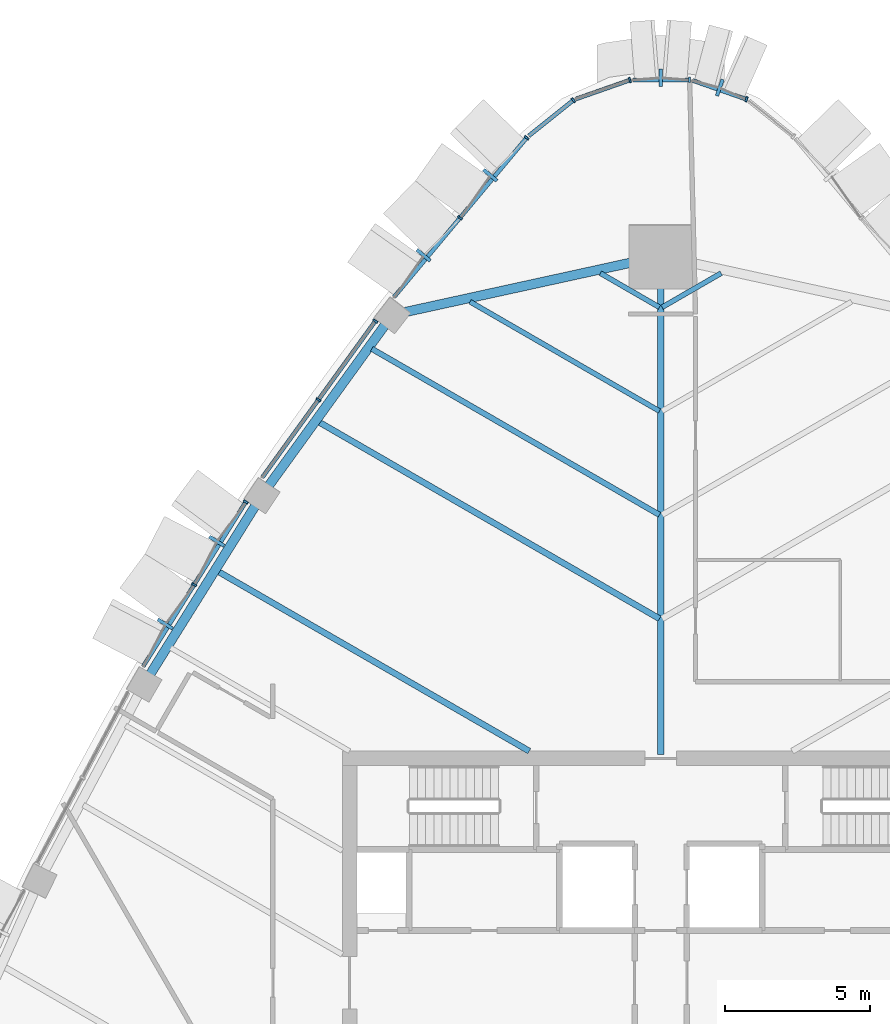
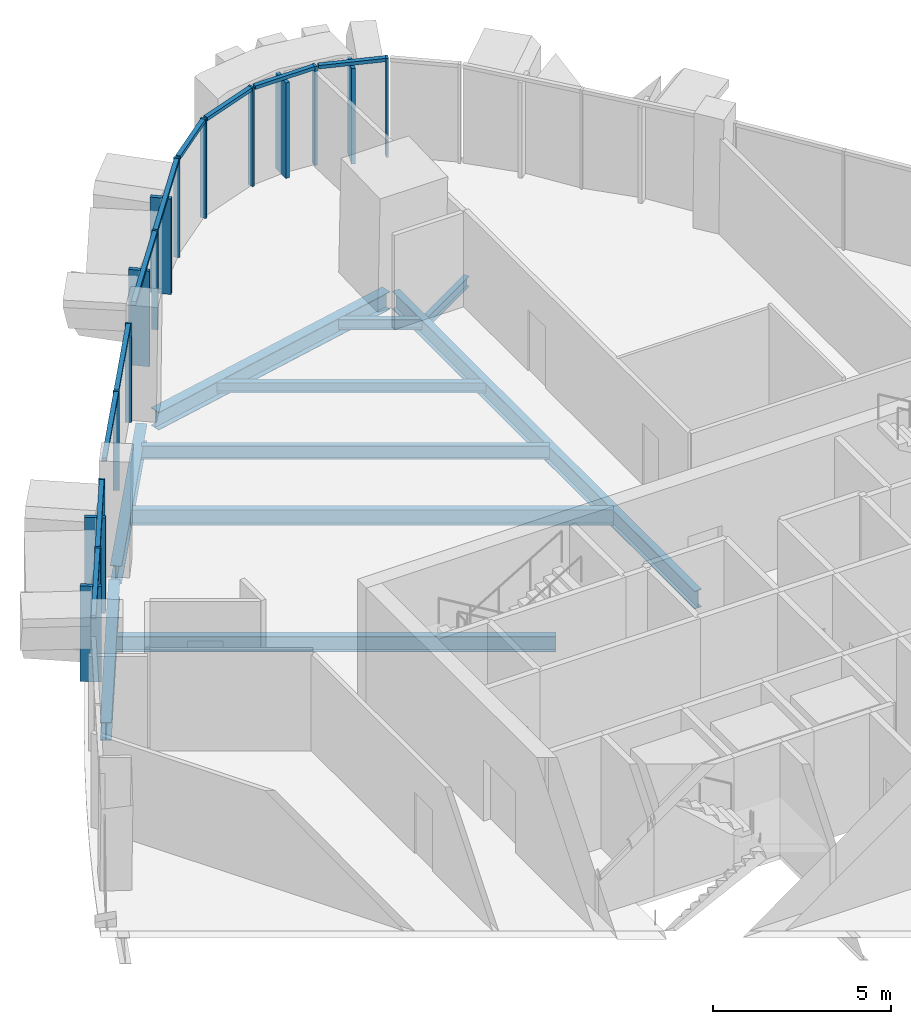
# One storey, part 6 of 18: 26 members, 10 beams, 7 elements without a shape of their own.
"""IFC4 building model written with IfcOpenShell, lengths in metres."""

from ifc_helpers import new_model, si_unit, direction, frame, origin, origin_2d, place, context, subcontext, project, spatial, rectangle, i_section, extrude, material, layer, layer_set, material_profile, profile_set, type_object, element, aggregate, save


model = new_model("IFC4")

# Units and contexts
model_context = context("Model", 3, precision=1e-05, world=origin(), true_north=direction((0.0, 1.0)))
body_context = subcontext(model_context, "Body", "Model", "MODEL_VIEW")
ifc_project = project(units=[si_unit("LENGTHUNIT", "METRE"), si_unit("AREAUNIT", "SQUARE_METRE"), si_unit("VOLUMEUNIT", "CUBIC_METRE"), si_unit("PLANEANGLEUNIT", "RADIAN"), si_unit("MASSUNIT", "GRAM", prefix="KILO")], contexts=[model_context])

# Site, building, storey
site_placement = place(None, origin())
site = spatial("IfcSite", under=ifc_project, at=site_placement, CompositionType="ELEMENT")
building_placement = place(site_placement, origin())
building = spatial("IfcBuilding", under=site, at=building_placement, Name="Sierra Prisma Convention Tower", CompositionType="ELEMENT")
storey_placement = place(building_placement, frame((0.0, 0.0, 251.0)))
storey = spatial("IfcBuildingStorey", under=building, at=storey_placement, Name="L56", CompositionType="ELEMENT", Elevation=251.0)

# Curtain wall, member
ifc_material_1 = material(Name="Aluminium and glass curtain wall", Category="aluminium")
ifc_layer_1 = layer(ifc_material_1, 0.179931640625)
ifc_layer_set_1 = layer_set([ifc_layer_1], Name="CW-2 Faceted crystal curtain wall")
curtain_wall_type_1 = type_object("IfcCurtainWallType", Name="CW-2 Faceted crystal curtain wall", PredefinedType="NOTDEFINED", material=ifc_layer_set_1)
curtain_wall_1_placement = place(storey_placement, origin())
curtain_wall_1 = element("IfcCurtainWall", 1, at=curtain_wall_1_placement, inside=storey, type_object=curtain_wall_type_1, Name="CW-2 N2 L56", PredefinedType="NOTDEFINED")
ifc_material_2 = material(Name="Aluminium 6063-T6 bronze anodised", Category="aluminium")
ifc_material_profile_1 = material_profile(ifc_material_2, rectangle(XDim=0.1201171875, YDim=0.60009765625, at=origin_2d()), Name="ALU RIDGE BLADE 120x600")
ifc_profile_set_1 = profile_set([ifc_material_profile_1], Name="Aluminium 6063-T6 bronze anodised")
member_type_1 = type_object("IfcMemberType", Name="CW hip bronze", PredefinedType="MULLION", material=ifc_profile_set_1)
member_1_placement = place(storey_placement, frame((2.0380859375, 30.917724609375, 0.0), z_axis=(0.0, 0.0, 1.0), x_axis=(-0.943809734933, 0.330489310334, 0.0)))
member_1 = element("IfcMember", 2, at=member_1_placement, type_object=member_type_1, Name="CW-2 ridge N2.1", PredefinedType="MULLION", context=body_context, shape_type="SweptSolid", body=[
    extrude(rectangle(XDim=0.1201171875, YDim=0.60009765625, at=origin_2d()), origin(), (0.0, 0.0, 1.0), 3.280029296875),
])

curtain_wall_2_placement = place(storey_placement, origin())
curtain_wall_2 = element("IfcCurtainWall", 3, at=curtain_wall_2_placement, inside=storey, type_object=curtain_wall_type_1, Name="CW-2 N3 L56", PredefinedType="NOTDEFINED")
member_2_placement = place(storey_placement, frame((0.0, 31.26416015625, 0.0), z_axis=(0.0, 0.0, 1.0), x_axis=(-1.0, 0.0, 0.0)))
member_2 = element("IfcMember", 4, at=member_2_placement, type_object=member_type_1, Name="CW-2 ridge N3.1", PredefinedType="MULLION", context=body_context, shape_type="SweptSolid", body=[
    extrude(rectangle(XDim=0.1201171875, YDim=0.60009765625, at=origin_2d()), origin(), (0.0, 0.0, 1.0), 3.280029296875),
])

# Curtain wall, members
curtain_wall_3_placement = place(storey_placement, origin())
curtain_wall_3 = element("IfcCurtainWall", 5, at=curtain_wall_3_placement, inside=storey, type_object=curtain_wall_type_1, Name="CW-2 NW1 L56", PredefinedType="NOTDEFINED")
member_3_placement = place(storey_placement, frame((-5.889892578125, 27.89111328125, 0.0), z_axis=(0.0, 0.0, 1.0), x_axis=(-0.640040491555, -0.768341180186, 0.0)))
member_3 = element("IfcMember", 6, at=member_3_placement, type_object=member_type_1, Name="CW-2 ridge NW1.1", PredefinedType="MULLION", context=body_context, shape_type="SweptSolid", body=[
    extrude(rectangle(XDim=0.1201171875, YDim=0.60009765625, at=origin_2d()), origin(), (0.0, 0.0, 1.0), 3.280029296875),
])
member_4_placement = place(storey_placement, frame((-8.193115234375, 25.126220703125, 0.0), z_axis=(0.0, 0.0, 1.0), x_axis=(-0.640040491555, -0.768341180186, 0.0)))
member_4 = element("IfcMember", 7, at=member_4_placement, type_object=member_type_1, Name="CW-2 ridge NW1.2", PredefinedType="MULLION", context=body_context, shape_type="SweptSolid", body=[
    extrude(rectangle(XDim=0.1201171875, YDim=0.60009765625, at=origin_2d()), origin(), (0.0, 0.0, 1.0), 3.280029296875),
])

curtain_wall_4_placement = place(storey_placement, origin())
curtain_wall_4 = element("IfcCurtainWall", 8, at=curtain_wall_4_placement, inside=storey, type_object=curtain_wall_type_1, Name="CW-2 NW3 L56", PredefinedType="NOTDEFINED")
member_5_placement = place(storey_placement, frame((-15.33544921875, 15.247802734375, 0.0), z_axis=(0.0, 0.0, 1.0), x_axis=(-0.529311801068, -0.84842737889, 0.0)))
member_5 = element("IfcMember", 9, at=member_5_placement, type_object=member_type_1, Name="CW-2 ridge NW3.1", PredefinedType="MULLION", context=body_context, shape_type="SweptSolid", body=[
    extrude(rectangle(XDim=0.1201171875, YDim=0.60009765625, at=origin_2d()), origin(), (0.0, 0.0, 1.0), 3.280029296875),
])
member_6_placement = place(storey_placement, frame((-17.11767578125, 12.390869140625, 0.0), z_axis=(0.0, 0.0, 1.0), x_axis=(-0.529311801068, -0.84842737889, 0.0)))
member_6 = element("IfcMember", 10, at=member_6_placement, type_object=member_type_1, Name="CW-2 ridge NW3.2", PredefinedType="MULLION", context=body_context, shape_type="SweptSolid", body=[
    extrude(rectangle(XDim=0.1201171875, YDim=0.60009765625, at=origin_2d()), origin(), (0.0, 0.0, 1.0), 3.280029296875),
])

# Member
ifc_material_3 = material(Name="Aluminium 6063-T6 bronze anodised", Category="aluminium")
ifc_material_profile_2 = material_profile(ifc_material_3, rectangle(XDim=0.179931640625, YDim=0.070068359375, at=origin_2d()), Name="ALU MULLION 70x180")
ifc_profile_set_2 = profile_set([ifc_material_profile_2], Name="Aluminium 6063-T6 bronze anodised")
member_type_2 = type_object("IfcMemberType", Name="CW mullion bronze", PredefinedType="MULLION", material=ifc_profile_set_2)
member_7_placement = place(storey_placement, frame((2.95751953125, 30.51513671875, 0.0), z_axis=(0.0, 0.0, 1.0), x_axis=(-0.330489310334, -0.943809734933, 0.0)))
member_7 = element("IfcMember", 11, at=member_7_placement, type_object=member_type_2, Name="CW-1 mullion N2.1", PredefinedType="MULLION", context=body_context, shape_type="SweptSolid", body=[
    extrude(rectangle(XDim=0.179931640625, YDim=0.070068359375, at=origin_2d()), origin(), (0.0, 0.0, 1.0), 3.39990234375),
])

member_8_placement = place(storey_placement, frame((1.000732421875, 31.188232421875, 0.0), z_axis=(0.0, 0.0, 1.0), x_axis=(0.0, -1.0, 0.0)))
member_8 = element("IfcMember", 12, at=member_8_placement, type_object=member_type_2, Name="CW-1 mullion N3.1", PredefinedType="MULLION", context=body_context, shape_type="SweptSolid", body=[
    extrude(rectangle(XDim=0.179931640625, YDim=0.070068359375, at=origin_2d()), origin(), (0.0, 0.0, 1.0), 3.39990234375),
])

# Curtain wall, member
ifc_material_4 = material(Name="Aluminium and glass curtain wall", Category="aluminium")
ifc_layer_2 = layer(ifc_material_4, 0.179931640625)
ifc_layer_set_2 = layer_set([ifc_layer_2], Name="CW-1 Plain shaft curtain wall")
curtain_wall_type_2 = type_object("IfcCurtainWallType", Name="CW-1 Plain shaft curtain wall", PredefinedType="NOTDEFINED", material=ifc_layer_set_2)
curtain_wall_5_placement = place(storey_placement, origin())
curtain_wall_5 = element("IfcCurtainWall", 13, at=curtain_wall_5_placement, inside=storey, type_object=curtain_wall_type_2, Name="CW-1 N4 L56", PredefinedType="NOTDEFINED")
member_9_placement = place(storey_placement, frame((-1.068603515625, 31.176513671875, 0.0), z_axis=(0.0, 0.0, 1.0), x_axis=(0.330489310334, -0.943809734933, 0.0)))
member_9 = element("IfcMember", 14, at=member_9_placement, type_object=member_type_2, Name="CW-1 mullion N4.1", PredefinedType="MULLION", context=body_context, shape_type="SweptSolid", body=[
    extrude(rectangle(XDim=0.179931640625, YDim=0.070068359375, at=origin_2d()), origin(), (0.0, 0.0, 1.0), 3.39990234375),
])

curtain_wall_6_placement = place(storey_placement, origin())
curtain_wall_6 = element("IfcCurtainWall", 15, at=curtain_wall_6_placement, inside=storey, type_object=curtain_wall_type_2, Name="CW-1 N5 L56", PredefinedType="NOTDEFINED")
member_10_placement = place(storey_placement, frame((-3.017822265625, 30.48193359375, 0.0), z_axis=(0.0, 0.0, 1.0), x_axis=(0.623838056769, -0.78155363151, 0.0)))
member_10 = element("IfcMember", 16, at=member_10_placement, type_object=member_type_2, Name="CW-1 mullion N5.1", PredefinedType="MULLION", context=body_context, shape_type="SweptSolid", body=[
    extrude(rectangle(XDim=0.179931640625, YDim=0.070068359375, at=origin_2d()), origin(), (0.0, 0.0, 1.0), 3.39990234375),
])

# Member
member_11_placement = place(storey_placement, frame((-4.631591796875, 29.1845703125, 0.0), z_axis=(0.0, 0.0, 1.0), x_axis=(0.768341180186, -0.640040491555, 0.0)))
member_11 = element("IfcMember", 17, at=member_11_placement, type_object=member_type_2, Name="CW-1 mullion NW1.1", PredefinedType="MULLION", context=body_context, shape_type="SweptSolid", body=[
    extrude(rectangle(XDim=0.179931640625, YDim=0.070068359375, at=origin_2d()), origin(), (0.0, 0.0, 1.0), 3.39990234375),
])

member_12_placement = place(storey_placement, frame((-6.934814453125, 26.419677734375, 0.0), z_axis=(0.0, 0.0, 1.0), x_axis=(0.768341180186, -0.640040491555, 0.0)))
member_12 = element("IfcMember", 18, at=member_12_placement, type_object=member_type_2, Name="CW-1 mullion NW1.2", PredefinedType="MULLION", context=body_context, shape_type="SweptSolid", body=[
    extrude(rectangle(XDim=0.179931640625, YDim=0.070068359375, at=origin_2d()), origin(), (0.0, 0.0, 1.0), 3.39990234375),
])

# Curtain wall, members
curtain_wall_7_placement = place(storey_placement, origin())
curtain_wall_7 = element("IfcCurtainWall", 19, at=curtain_wall_7_placement, inside=storey, type_object=curtain_wall_type_2, Name="CW-1 NW2 L56", PredefinedType="NOTDEFINED")
member_13_placement = place(storey_placement, frame((-9.8583984375, 22.853515625, 0.0), z_axis=(0.0, 0.0, 1.0), x_axis=(0.810277948692, -0.586045771133, 0.0)))
member_13 = element("IfcMember", 20, at=member_13_placement, type_object=member_type_2, Name="CW-1 mullion NW2.1", PredefinedType="MULLION", context=body_context, shape_type="SweptSolid", body=[
    extrude(rectangle(XDim=0.179931640625, YDim=0.070068359375, at=origin_2d()), origin(), (0.0, 0.0, 1.0), 3.39990234375),
])
member_14_placement = place(storey_placement, frame((-11.822509765625, 20.137939453125, 0.0), z_axis=(0.0, 0.0, 1.0), x_axis=(0.810277948692, -0.586045771133, 0.0)))
member_14 = element("IfcMember", 21, at=member_14_placement, type_object=member_type_2, Name="CW-1 mullion NW2.2", PredefinedType="MULLION", context=body_context, shape_type="SweptSolid", body=[
    extrude(rectangle(XDim=0.179931640625, YDim=0.070068359375, at=origin_2d()), origin(), (0.0, 0.0, 1.0), 3.39990234375),
])

# Member
member_15_placement = place(storey_placement, frame((-14.333984375, 16.607666015625, 0.0), z_axis=(0.0, 0.0, 1.0), x_axis=(0.84842737889, -0.529311801068, 0.0)))
member_15 = element("IfcMember", 22, at=member_15_placement, type_object=member_type_2, Name="CW-1 mullion NW3.1", PredefinedType="MULLION", context=body_context, shape_type="SweptSolid", body=[
    extrude(rectangle(XDim=0.179931640625, YDim=0.070068359375, at=origin_2d()), origin(), (0.0, 0.0, 1.0), 3.39990234375),
])

member_16_placement = place(storey_placement, frame((-16.116455078125, 13.75048828125, 0.0), z_axis=(0.0, 0.0, 1.0), x_axis=(0.84842737889, -0.529311801068, 0.0)))
member_16 = element("IfcMember", 23, at=member_16_placement, type_object=member_type_2, Name="CW-1 mullion NW3.2", PredefinedType="MULLION", context=body_context, shape_type="SweptSolid", body=[
    extrude(rectangle(XDim=0.179931640625, YDim=0.070068359375, at=origin_2d()), origin(), (0.0, 0.0, 1.0), 3.39990234375),
])

ifc_material_5 = material(Name="Aluminium 6063-T6 bronze anodised", Category="aluminium")
ifc_material_profile_3 = material_profile(ifc_material_5, rectangle(XDim=0.139892578125, YDim=0.1201171875, at=origin_2d()), Name="ALU TRANSOM 120x140")
ifc_profile_set_3 = profile_set([ifc_material_profile_3], Name="Aluminium 6063-T6 bronze anodised")
member_type_3 = type_object("IfcMemberType", Name="CW transom bronze", PredefinedType="USERDEFINED", material=ifc_profile_set_3)
member_17_placement = place(storey_placement, frame((2.92431640625, 30.52685546875, 3.340087890625), z_axis=(-0.943809068663, 0.330491213059, 0.0), x_axis=(-0.330491213059, -0.943809068663, 0.0)))
member_17 = element("IfcMember", 24, at=member_17_placement, type_object=member_type_3, Name="CW-1 transom N2.1", ObjectType="TRANSOM", PredefinedType="USERDEFINED", context=body_context, shape_type="SweptSolid", body=[
    extrude(rectangle(XDim=0.139892578125, YDim=0.1201171875, at=origin_2d()), origin(), (0.0, 0.0, 1.0), 1.930908203125),
])

aggregate(curtain_wall_1, [member_7, member_17, member_1])

member_18_placement = place(storey_placement, frame((0.965576171875, 31.188232421875, 3.340087890625), z_axis=(-1.0, 0.0, 0.0), x_axis=(0.0, -1.0, 0.0)))
member_18 = element("IfcMember", 25, at=member_18_placement, type_object=member_type_3, Name="CW-1 transom N3.1", ObjectType="TRANSOM", PredefinedType="USERDEFINED", context=body_context, shape_type="SweptSolid", body=[
    extrude(rectangle(XDim=0.139892578125, YDim=0.1201171875, at=origin_2d()), origin(), (0.0, 0.0, 1.0), 1.93115234375),
])

aggregate(curtain_wall_2, [member_8, member_18, member_2])

member_19_placement = place(storey_placement, frame((-1.101806640625, 31.1650390625, 3.340087890625), z_axis=(-0.943809068663, -0.330491213059, 0.0), x_axis=(0.330491213059, -0.943809068663, 0.0)))
member_19 = element("IfcMember", 26, at=member_19_placement, type_object=member_type_3, Name="CW-1 transom N4.1", ObjectType="TRANSOM", PredefinedType="USERDEFINED", context=body_context, shape_type="SweptSolid", body=[
    extrude(rectangle(XDim=0.139892578125, YDim=0.1201171875, at=origin_2d()), origin(), (0.0, 0.0, 1.0), 1.930908203125),
])

aggregate(curtain_wall_5, [member_9, member_19])

member_20_placement = place(storey_placement, frame((-3.045166015625, 30.4599609375, 3.340087890625), z_axis=(-0.781571258418, -0.623815972876, 0.0), x_axis=(0.623815972876, -0.781571258418, 0.0)))
member_20 = element("IfcMember", 27, at=member_20_placement, type_object=member_type_3, Name="CW-1 transom N5.1", ObjectType="TRANSOM", PredefinedType="USERDEFINED", context=body_context, shape_type="SweptSolid", body=[
    extrude(rectangle(XDim=0.139892578125, YDim=0.1201171875, at=origin_2d()), origin(), (0.0, 0.0, 1.0), 1.931396484375),
])

aggregate(curtain_wall_6, [member_10, member_20])

member_21_placement = place(storey_placement, frame((-4.654052734375, 29.15771484375, 3.340087890625), z_axis=(-0.640048269469, -0.768334700993, 0.0), x_axis=(0.768334700993, -0.640048269469, 0.0)))
member_21 = element("IfcMember", 28, at=member_21_placement, type_object=member_type_3, Name="CW-1 transom NW1.1", ObjectType="TRANSOM", PredefinedType="USERDEFINED", context=body_context, shape_type="SweptSolid", body=[
    extrude(rectangle(XDim=0.139892578125, YDim=0.1201171875, at=origin_2d()), origin(), (0.0, 0.0, 1.0), 3.5283203125),
])

member_22_placement = place(storey_placement, frame((-6.957275390625, 26.392822265625, 3.340087890625), z_axis=(-0.640048269469, -0.768334700993, 0.0), x_axis=(0.768334700993, -0.640048269469, 0.0)))
member_22 = element("IfcMember", 29, at=member_22_placement, type_object=member_type_3, Name="CW-1 transom NW1.2", ObjectType="TRANSOM", PredefinedType="USERDEFINED", context=body_context, shape_type="SweptSolid", body=[
    extrude(rectangle(XDim=0.139892578125, YDim=0.1201171875, at=origin_2d()), origin(), (0.0, 0.0, 1.0), 3.5283203125),
])

aggregate(curtain_wall_3, [member_11, member_12, member_21, member_3, member_22, member_4])

member_23_placement = place(storey_placement, frame((-9.87890625, 22.8251953125, 3.340087890625), z_axis=(-0.586041847149, -0.810280786759, 0.0), x_axis=(0.810280786759, -0.586041847149, 0.0)))
member_23 = element("IfcMember", 30, at=member_23_placement, type_object=member_type_3, Name="CW-1 transom NW2.1", ObjectType="TRANSOM", PredefinedType="USERDEFINED", context=body_context, shape_type="SweptSolid", body=[
    extrude(rectangle(XDim=0.139892578125, YDim=0.1201171875, at=origin_2d()), origin(), (0.0, 0.0, 1.0), 3.281494140625),
])

member_24_placement = place(storey_placement, frame((-11.843017578125, 20.109619140625, 3.340087890625), z_axis=(-0.586041847149, -0.810280786759, 0.0), x_axis=(0.810280786759, -0.586041847149, 0.0)))
member_24 = element("IfcMember", 31, at=member_24_placement, type_object=member_type_3, Name="CW-1 transom NW2.2", ObjectType="TRANSOM", PredefinedType="USERDEFINED", context=body_context, shape_type="SweptSolid", body=[
    extrude(rectangle(XDim=0.139892578125, YDim=0.1201171875, at=origin_2d()), origin(), (0.0, 0.0, 1.0), 3.281494140625),
])

aggregate(curtain_wall_7, [member_13, member_14, member_23, member_24])

member_25_placement = place(storey_placement, frame((-14.3525390625, 16.577880859375, 3.340087890625), z_axis=(-0.529313271206, -0.848426461707, 0.0), x_axis=(0.848426461707, -0.529313271206, 0.0)))
member_25 = element("IfcMember", 32, at=member_25_placement, type_object=member_type_3, Name="CW-1 transom NW3.1", ObjectType="TRANSOM", PredefinedType="USERDEFINED", context=body_context, shape_type="SweptSolid", body=[
    extrude(rectangle(XDim=0.139892578125, YDim=0.1201171875, at=origin_2d()), origin(), (0.0, 0.0, 1.0), 3.29736328125),
])

member_26_placement = place(storey_placement, frame((-16.135009765625, 13.720947265625, 3.340087890625), z_axis=(-0.529313271206, -0.848426461707, 0.0), x_axis=(0.848426461707, -0.529313271206, 0.0)))
member_26 = element("IfcMember", 33, at=member_26_placement, type_object=member_type_3, Name="CW-1 transom NW3.2", ObjectType="TRANSOM", PredefinedType="USERDEFINED", context=body_context, shape_type="SweptSolid", body=[
    extrude(rectangle(XDim=0.139892578125, YDim=0.1201171875, at=origin_2d()), origin(), (0.0, 0.0, 1.0), 3.29736328125),
])

aggregate(curtain_wall_4, [member_15, member_16, member_25, member_5, member_26, member_6])

# Beams
ifc_material_6 = material(Name="Steel ASTM A992 Gr 50", Category="steel")
ifc_material_profile_4 = material_profile(ifc_material_6, i_section(OverallWidth=0.172119140625, OverallDepth=0.35791015625, WebThickness=0.0078125, FlangeThickness=0.01318359375, at=origin_2d()), Name="W360x57")
ifc_profile_set_4 = profile_set([ifc_material_profile_4], Name="Steel ASTM A992 Gr 50")
beam_type_1 = type_object("IfcBeamType", Name="Floor joist W360x57", PredefinedType="JOIST", material=ifc_profile_set_4)
for number, where, z_axis, x_axis, name in (
    (34, (2.085693359375, 24.508544921875, -0.3291015625), (-0.866059581704, -0.499940797434, 0.0), (0.499940797434, -0.866059581704, 0.0), "Floor joist L56 NE14"),
    (35, (-2.085693359375, 24.508544921875, -0.3291015625), (0.866059581704, -0.499940797434, 0.0), (0.499940797434, 0.866059581704, 0.0), "Floor joist L56 NW01"),
):
    element("IfcBeam", number, at=place(storey_placement, frame(where, z_axis=z_axis, x_axis=x_axis)), inside=storey, type_object=beam_type_1, Name=name, PredefinedType="JOIST", context=body_context, shape_type="SweptSolid", body=[
        extrude(i_section(OverallWidth=0.172119140625, OverallDepth=0.35791015625, WebThickness=0.0078125, FlangeThickness=0.01318359375, at=origin_2d()), origin(), (0.0, 0.0, 1.0), 2.355224609375),
    ])
beam_1_placement = place(storey_placement, frame((-6.588623046875, 23.52294921875, -0.3291015625), z_axis=(0.866031139017, -0.499990066154, 0.0), x_axis=(0.499990066154, 0.866031139017, 0.0)))
element("IfcBeam", 36, at=beam_1_placement, inside=storey, type_object=beam_type_1, Name="Floor joist L56 NW02", PredefinedType="JOIST", context=body_context, shape_type="SweptSolid", body=[
    extrude(i_section(OverallWidth=0.172119140625, OverallDepth=0.35791015625, WebThickness=0.0078125, FlangeThickness=0.01318359375, at=origin_2d()), origin(), (0.0, 0.0, 1.0), 7.554931640625),
])
ifc_material_7 = material(Name="Steel ASTM A992 Gr 50", Category="steel")
ifc_material_profile_5 = material_profile(ifc_material_7, i_section(OverallWidth=0.18994140625, OverallDepth=0.45703125, WebThickness=0.009033203125, FlangeThickness=0.014404296875, at=origin_2d()), Name="W460x74")
ifc_profile_set_5 = profile_set([ifc_material_profile_5], Name="Steel ASTM A992 Gr 50")
beam_type_2 = type_object("IfcBeamType", Name="Floor joist W460x74", PredefinedType="JOIST", material=ifc_profile_set_5)
beam_2_placement = place(storey_placement, frame((-9.980224609375, 21.89599609375, -0.37841796875), z_axis=(0.866025033342, -0.500000641624, 0.0), x_axis=(0.500000641624, 0.866025033342, 0.0)))
element("IfcBeam", 37, at=beam_2_placement, inside=storey, type_object=beam_type_2, Name="Floor joist L56 NW03", PredefinedType="JOIST", context=body_context, shape_type="SweptSolid", body=[
    extrude(i_section(OverallWidth=0.18994140625, OverallDepth=0.45703125, WebThickness=0.009033203125, FlangeThickness=0.014404296875, at=origin_2d()), origin(), (0.0, 0.0, 1.0), 11.47119140625),
])
ifc_material_8 = material(Name="Steel ASTM A992 Gr 50", Category="steel")
ifc_material_profile_6 = material_profile(ifc_material_8, i_section(OverallWidth=0.208984375, OverallDepth=0.532958984375, WebThickness=0.01025390625, FlangeThickness=0.015625, at=origin_2d()), Name="W530x92")
ifc_profile_set_6 = profile_set([ifc_material_profile_6], Name="Steel ASTM A992 Gr 50")
beam_type_3 = type_object("IfcBeamType", Name="Floor joist W530x92", PredefinedType="JOIST", material=ifc_profile_set_6)
beam_3_placement = place(storey_placement, frame((-11.8095703125, 19.36669921875, -0.41650390625), z_axis=(0.866025756889, -0.499999388405, 0.0), x_axis=(0.499999388405, 0.866025756889, 0.0)))
element("IfcBeam", 38, at=beam_3_placement, inside=storey, type_object=beam_type_3, Name="Floor joist L56 NW04", PredefinedType="JOIST", context=body_context, shape_type="SweptSolid", body=[
    extrude(i_section(OverallWidth=0.208984375, OverallDepth=0.532958984375, WebThickness=0.01025390625, FlangeThickness=0.015625, at=origin_2d()), origin(), (0.0, 0.0, 1.0), 13.58349609375),
])
beam_4_placement = place(storey_placement, frame((-15.288330078125, 14.20458984375, -0.41650390625), z_axis=(0.866028653791, -0.499994370782, 0.0), x_axis=(0.499994370782, 0.866028653791, 0.0)))
element("IfcBeam", 39, at=beam_4_placement, inside=storey, type_object=beam_type_3, Name="Floor joist L56 NW06", PredefinedType="JOIST", context=body_context, shape_type="SweptSolid", body=[
    extrude(i_section(OverallWidth=0.208984375, OverallDepth=0.532958984375, WebThickness=0.01025390625, FlangeThickness=0.015625, at=origin_2d()), origin(), (0.0, 0.0, 1.0), 12.409423828125),
])
ifc_material_9 = material(Name="Steel ASTM A992 Gr 50", Category="steel")
ifc_material_profile_7 = material_profile(ifc_material_9, i_section(OverallWidth=0.22998046875, OverallDepth=0.616943359375, WebThickness=0.01318359375, FlangeThickness=0.022216796875, at=origin_2d()), Name="W610x140")
ifc_profile_set_7 = profile_set([ifc_material_profile_7], Name="Steel ASTM A992 Gr 50")
beam_type_4 = type_object("IfcBeamType", Name="Radial girder W610x140", PredefinedType="BEAM", material=ifc_profile_set_7)
beam_5_placement = place(storey_placement, frame((0.0, 24.876953125, -0.45849609375), z_axis=(0.0, -1.0, 0.0), x_axis=(1.0, 0.0, 0.0)))
element("IfcBeam", 40, at=beam_5_placement, inside=storey, type_object=beam_type_4, Name="Radial girder L56 N", PredefinedType="BEAM", context=body_context, shape_type="SweptSolid", body=[
    extrude(i_section(OverallWidth=0.22998046875, OverallDepth=0.616943359375, WebThickness=0.01318359375, FlangeThickness=0.022216796875, at=origin_2d()), origin(), (0.0, 0.0, 1.0), 16.9970703125),
])
ifc_material_10 = material(Name="Steel ASTM A992 Gr 50", Category="steel")
ifc_material_profile_8 = material_profile(ifc_material_10, i_section(OverallWidth=0.324951171875, OverallDepth=0.615966796875, WebThickness=0.013916015625, FlangeThickness=0.021484375, at=origin_2d()), Name="W610x174")
ifc_profile_set_8 = profile_set([ifc_material_profile_8], Name="Steel ASTM A992 Gr 50")
beam_type_5 = type_object("IfcBeamType", Name="Spandrel beam W610x174", PredefinedType="BEAM", material=ifc_profile_set_8)
beam_6_placement = place(storey_placement, frame((-0.219970703125, 25.048828125, -0.4580078125), z_axis=(-0.976875940631, -0.213806914334, 0.0), x_axis=(0.213806914334, -0.976875940631, 0.0)))
element("IfcBeam", 41, at=beam_6_placement, inside=storey, type_object=beam_type_5, Name="Spandrel L56-13", PredefinedType="BEAM", context=body_context, shape_type="SweptSolid", body=[
    extrude(i_section(OverallWidth=0.324951171875, OverallDepth=0.615966796875, WebThickness=0.013916015625, FlangeThickness=0.021484375, at=origin_2d()), origin(), (0.0, 0.0, 1.0), 8.800537109375),
])
for number, where, z_axis, x_axis, name in (
    (42, (-9.465576171875, 22.800048828125, -0.4580078125), (-0.586045595424, -0.810278075777, 0.0), (0.810278075777, -0.586045595424, 0.0), "Spandrel L56-14"),
    (43, (-13.955322265625, 16.553955078125, -0.4580078125), (-0.529315369114, -0.848425152868, 0.0), (0.848425152868, -0.529315369114, 0.0), "Spandrel L56-15"),
):
    element("IfcBeam", number, at=place(storey_placement, frame(where, z_axis=z_axis, x_axis=x_axis)), inside=storey, type_object=beam_type_5, Name=name, PredefinedType="BEAM", context=body_context, shape_type="SweptSolid", body=[
        extrude(i_section(OverallWidth=0.324951171875, OverallDepth=0.615966796875, WebThickness=0.013916015625, FlangeThickness=0.021484375, at=origin_2d()), origin(), (0.0, 0.0, 1.0), 7.032470703125),
    ])

save(model, "model.ifc")
